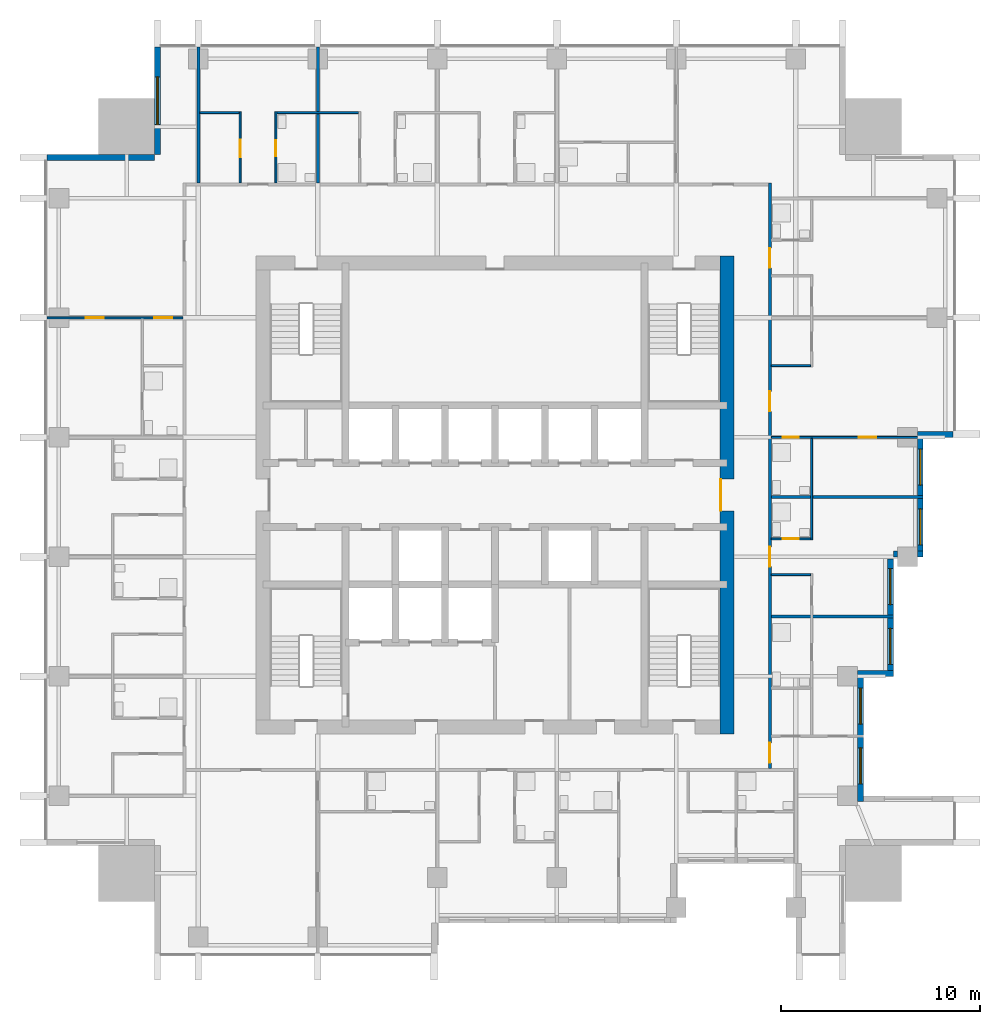
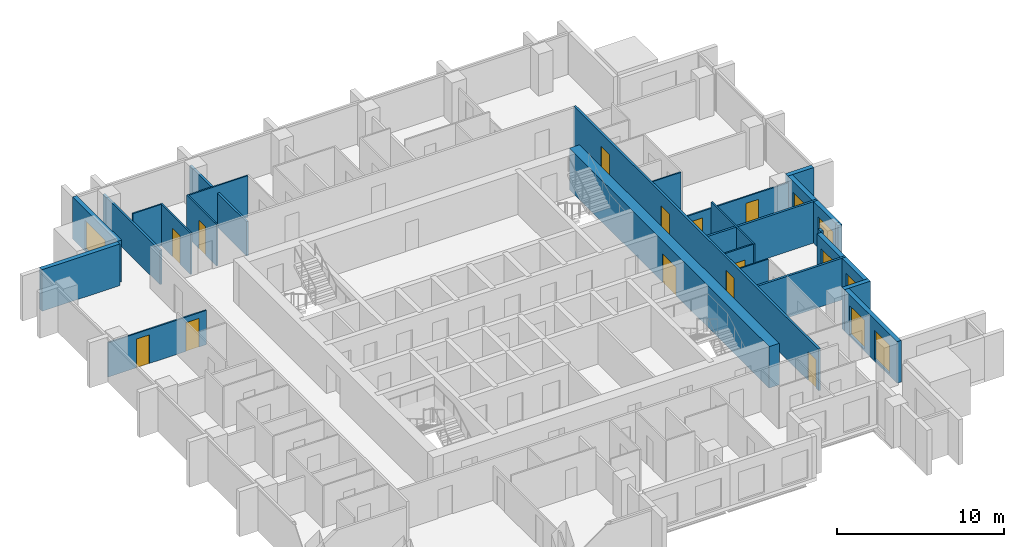
# One storey, part 7 of 11: 25 walls, 12 doors, 7 windows, 19 openings.
"""IFC4 building model written with IfcOpenShell, lengths in metres."""

from ifc_helpers import new_model, si_unit, direction, frame, frame_2d, origin, place, context, subcontext, project, spatial, rectangle, extrude, material, layer, layer_set, type_object, element, fill, save


model = new_model("IFC4")

# Units and contexts
model_context = context("Model", 3, precision=1e-05, world=origin(), true_north=direction((0.0, 1.0)))
body_context = subcontext(model_context, "Body", "Model", "MODEL_VIEW")
ifc_project = project(units=[si_unit("LENGTHUNIT", "METRE"), si_unit("AREAUNIT", "SQUARE_METRE"), si_unit("VOLUMEUNIT", "CUBIC_METRE"), si_unit("PLANEANGLEUNIT", "RADIAN"), si_unit("MASSUNIT", "GRAM", prefix="KILO")], contexts=[model_context])

# Site, building, storey
site_placement = place(None, origin())
site = spatial("IfcSite", under=ifc_project, at=site_placement, CompositionType="ELEMENT")
building_placement = place(site_placement, origin())
building = spatial("IfcBuilding", under=site, at=building_placement, Name="Amberfall Residences", CompositionType="ELEMENT")
storey_placement = place(building_placement, frame((0.0, 0.0, 161.5)))
storey = spatial("IfcBuildingStorey", under=building, at=storey_placement, Name="L43", CompositionType="ELEMENT", Elevation=161.5)

# Walls
ifc_material_1 = material(Name="Pale stone cladding on insulated backing", Category="masonry")
ifc_layer_1 = layer(ifc_material_1, 0.300048828125)
ifc_layer_set_1 = layer_set([ifc_layer_1], Name="Bronze clad wall 300")
wall_type_1 = type_object("IfcWallType", Name="Bronze clad wall 300", PredefinedType="SOLIDWALL", material=ifc_layer_set_1)
wall_1_placement = place(storey_placement, frame((92.699951171875, 36.550048828125, 0.0), z_axis=(0.0, 0.0, 1.0), x_axis=(1.0, 0.0, 0.0)))
element("IfcWall", 1, at=wall_1_placement, inside=storey, type_object=wall_type_1, Name="External wall L43 E", PredefinedType="SOLIDWALL", context=body_context, shape_type="SweptSolid", body=[
    extrude(rectangle(XDim=1.800048828125, YDim=0.300048828125, at=frame_2d((0.89990234375, 0.0))), origin(), (0.0, 0.0, 1.0), 3.050048828125),
])
wall_2_placement = place(storey_placement, frame((94.5, 42.550048828125, 0.0), z_axis=(0.0, 0.0, 1.0), x_axis=(1.0, 0.0, 0.0)))
element("IfcWall", 2, at=wall_2_placement, inside=storey, type_object=wall_type_1, Name="External wall L43 E", PredefinedType="SOLIDWALL", context=body_context, shape_type="SweptSolid", body=[
    extrude(rectangle(XDim=0.199951171875, YDim=0.300048828125, at=frame_2d((0.10009765625, 0.0))), origin(), (0.0, 0.0, 1.0), 3.050048828125),
])
wall_3_placement = place(storey_placement, frame((95.699951171875, 42.550048828125, 0.0), z_axis=(0.0, 0.0, 1.0), x_axis=(1.0, 0.0, 0.0)))
element("IfcWall", 3, at=wall_3_placement, inside=storey, type_object=wall_type_1, Name="External wall L43 E", PredefinedType="SOLIDWALL", context=body_context, shape_type="SweptSolid", body=[
    extrude(rectangle(XDim=0.300048828125, YDim=0.300048828125, at=frame_2d((0.14990234375, 0.0))), origin(), (0.0, 0.0, 1.0), 3.050048828125),
])
wall_4_placement = place(storey_placement, frame((95.699951171875, 48.550048828125, 0.0), z_axis=(0.0, 0.0, 1.0), x_axis=(1.0, 0.0, 0.0)))
element("IfcWall", 4, at=wall_4_placement, inside=storey, type_object=wall_type_1, Name="External wall L43 E", PredefinedType="SOLIDWALL", context=body_context, shape_type="SweptSolid", body=[
    extrude(rectangle(XDim=1.800048828125, YDim=0.300048828125, at=frame_2d((0.89990234375, 0.0))), origin(), (0.0, 0.0, 1.0), 3.050048828125),
])

# Wall, opening, window
wall_5_placement = place(storey_placement, frame((57.550048828125, 68.0, 0.0), z_axis=(0.0, 0.0, 1.0), x_axis=(0.0, -1.0, 0.0)))
wall_5 = element("IfcWall", 5, at=wall_5_placement, inside=storey, type_object=wall_type_1, Name="External wall L43 NW", PredefinedType="SOLIDWALL", context=body_context, shape_type="SweptSolid", body=[
    extrude(rectangle(XDim=5.39990234375, YDim=0.300048828125, at=frame_2d((2.699951171875, 0.0))), origin(), (0.0, 0.0, 1.0), 3.050048828125),
])
opening_1_placement = place(wall_5_placement, frame((1.5, 0.0, 0.14990234375)))
opening_1 = element("IfcOpeningElement", 6, at=opening_1_placement, cuts=wall_5, Name="Opening WN5", PredefinedType="OPENING", context=body_context, shape_type="SweptSolid", body=[
    extrude(rectangle(XDim=2.39990234375, YDim=2.10009765625, at=frame_2d((1.199951171875, 1.050048828125))), frame((0.0, 0.159912109375, 0.0), z_axis=(0.0, -1.0, 0.0), x_axis=(1.0, 0.0, 0.0)), (0.0, 0.0, 1.0), 0.320068359375),
])
ifc_material_2 = material(Name="Bronze aluminium framed glazing", Category="aluminium")
window_type_1 = type_object("IfcWindowType", Name="Glazed opening 2400 x 2100 bronze", PartitioningType="DOUBLE_PANEL_VERTICAL", PredefinedType="WINDOW", material=ifc_material_2)
window_1_placement = place(opening_1_placement, origin())
window_1 = element("IfcWindow", 7, at=window_1_placement, inside=storey, type_object=window_type_1, Name="Window L43 NW", OverallHeight=2.10009765625, OverallWidth=2.39990234375, PartitioningType="DOUBLE_PANEL_VERTICAL", PredefinedType="WINDOW", context=body_context, shape_type="SweptSolid", body=[
    extrude(rectangle(XDim=2.39990234375, YDim=2.10009765625, at=frame_2d((1.199951171875, 1.050048828125))), frame((0.0, 0.030029296875, 0.0), z_axis=(0.0, -1.0, 0.0), x_axis=(1.0, 0.0, 0.0)), (0.0, 0.0, 1.0), 0.06005859375),
])
fill(opening_1, window_1)

# Wall
wall_6_placement = place(storey_placement, frame((57.39990234375, 62.449951171875, 0.0), z_axis=(0.0, 0.0, 1.0), x_axis=(-1.0, 0.0, 0.0)))
element("IfcWall", 8, at=wall_6_placement, inside=storey, type_object=wall_type_1, Name="External wall L43 NW", PredefinedType="SOLIDWALL", context=body_context, shape_type="SweptSolid", body=[
    extrude(rectangle(XDim=5.39990234375, YDim=0.300048828125, at=frame_2d((2.699951171875, 0.0))), origin(), (0.0, 0.0, 1.0), 3.050048828125),
])

# Wall, openings, windows
wall_7_placement = place(storey_placement, frame((92.85009765625, 30.10009765625, 0.0), z_axis=(0.0, 0.0, 1.0), x_axis=(0.0, 1.0, 0.0)))
wall_7 = element("IfcWall", 9, at=wall_7_placement, inside=storey, type_object=wall_type_1, Name="Stone wall L43 E", PredefinedType="SOLIDWALL", context=body_context, shape_type="SweptSolid", body=[
    extrude(rectangle(XDim=6.2998046875, YDim=0.300048828125, at=frame_2d((3.14990234375, 0.0))), origin(), (0.0, 0.0, 1.0), 3.050048828125),
])
opening_2_placement = place(wall_7_placement, frame((0.89990234375, 0.0, 0.14990234375)))
opening_2 = element("IfcOpeningElement", 10, at=opening_2_placement, cuts=wall_7, Name="Opening WN6", PredefinedType="OPENING", context=body_context, shape_type="SweptSolid", body=[
    extrude(rectangle(XDim=1.800048828125, YDim=2.10009765625, at=frame_2d((0.89990234375, 1.050048828125))), frame((0.0, 0.159912109375, 0.0), z_axis=(0.0, -1.0, 0.0), x_axis=(1.0, 0.0, 0.0)), (0.0, 0.0, 1.0), 0.320068359375),
])
opening_3_placement = place(wall_7_placement, frame((3.89990234375, 0.0, 0.14990234375)))
opening_3 = element("IfcOpeningElement", 11, at=opening_3_placement, cuts=wall_7, Name="Opening WN6", PredefinedType="OPENING", context=body_context, shape_type="SweptSolid", body=[
    extrude(rectangle(XDim=1.800048828125, YDim=2.10009765625, at=frame_2d((0.89990234375, 1.050048828125))), frame((0.0, 0.159912109375, 0.0), z_axis=(0.0, -1.0, 0.0), x_axis=(1.0, 0.0, 0.0)), (0.0, 0.0, 1.0), 0.320068359375),
])
window_type_2 = type_object("IfcWindowType", Name="Glazed opening 1800 x 2100 bronze", PartitioningType="DOUBLE_PANEL_VERTICAL", PredefinedType="WINDOW", material=ifc_material_2)
window_2_placement = place(opening_2_placement, origin())
window_2 = element("IfcWindow", 12, at=window_2_placement, inside=storey, type_object=window_type_2, Name="Window L43 E", OverallHeight=2.10009765625, OverallWidth=1.800048828125, PartitioningType="DOUBLE_PANEL_VERTICAL", PredefinedType="WINDOW", context=body_context, shape_type="SweptSolid", body=[
    extrude(rectangle(XDim=1.800048828125, YDim=2.10009765625, at=frame_2d((0.89990234375, 1.050048828125))), frame((0.0, 0.030029296875, 0.0), z_axis=(0.0, -1.0, 0.0), x_axis=(1.0, 0.0, 0.0)), (0.0, 0.0, 1.0), 0.06005859375),
])
fill(opening_2, window_2)
window_3_placement = place(opening_3_placement, origin())
window_3 = element("IfcWindow", 13, at=window_3_placement, inside=storey, type_object=window_type_2, Name="Window L43 E", OverallHeight=2.10009765625, OverallWidth=1.800048828125, PartitioningType="DOUBLE_PANEL_VERTICAL", PredefinedType="WINDOW", context=body_context, shape_type="SweptSolid", body=[
    extrude(rectangle(XDim=1.800048828125, YDim=2.10009765625, at=frame_2d((0.89990234375, 1.050048828125))), frame((0.0, 0.030029296875, 0.0), z_axis=(0.0, -1.0, 0.0), x_axis=(1.0, 0.0, 0.0)), (0.0, 0.0, 1.0), 0.06005859375),
])
fill(opening_3, window_3)

wall_8_placement = place(storey_placement, frame((94.35009765625, 36.699951171875, 0.0), z_axis=(0.0, 0.0, 1.0), x_axis=(0.0, 1.0, 0.0)))
wall_8 = element("IfcWall", 14, at=wall_8_placement, inside=storey, type_object=wall_type_1, Name="Stone wall L43 E", PredefinedType="SOLIDWALL", context=body_context, shape_type="SweptSolid", body=[
    extrude(rectangle(XDim=5.60009765625, YDim=0.300048828125, at=frame_2d((2.800048828125, 0.0))), origin(), (0.0, 0.0, 1.0), 3.050048828125),
])
opening_4_placement = place(wall_8_placement, frame((0.300048828125, 0.0, 0.14990234375)))
opening_4 = element("IfcOpeningElement", 15, at=opening_4_placement, cuts=wall_8, Name="Opening WN6", PredefinedType="OPENING", context=body_context, shape_type="SweptSolid", body=[
    extrude(rectangle(XDim=1.800048828125, YDim=2.10009765625, at=frame_2d((0.89990234375, 1.050048828125))), frame((0.0, 0.159912109375, 0.0), z_axis=(0.0, -1.0, 0.0), x_axis=(1.0, 0.0, 0.0)), (0.0, 0.0, 1.0), 0.320068359375),
])
opening_5_placement = place(wall_8_placement, frame((3.300048828125, 0.0, 0.14990234375)))
opening_5 = element("IfcOpeningElement", 16, at=opening_5_placement, cuts=wall_8, Name="Opening WN6", PredefinedType="OPENING", context=body_context, shape_type="SweptSolid", body=[
    extrude(rectangle(XDim=1.800048828125, YDim=2.10009765625, at=frame_2d((0.89990234375, 1.050048828125))), frame((0.0, 0.159912109375, 0.0), z_axis=(0.0, -1.0, 0.0), x_axis=(1.0, 0.0, 0.0)), (0.0, 0.0, 1.0), 0.320068359375),
])
window_4_placement = place(opening_4_placement, origin())
window_4 = element("IfcWindow", 17, at=window_4_placement, inside=storey, type_object=window_type_2, Name="Window L43 E", OverallHeight=2.10009765625, OverallWidth=1.800048828125, PartitioningType="DOUBLE_PANEL_VERTICAL", PredefinedType="WINDOW", context=body_context, shape_type="SweptSolid", body=[
    extrude(rectangle(XDim=1.800048828125, YDim=2.10009765625, at=frame_2d((0.89990234375, 1.050048828125))), frame((0.0, 0.030029296875, 0.0), z_axis=(0.0, -1.0, 0.0), x_axis=(1.0, 0.0, 0.0)), (0.0, 0.0, 1.0), 0.06005859375),
])
fill(opening_4, window_4)
window_5_placement = place(opening_5_placement, origin())
window_5 = element("IfcWindow", 18, at=window_5_placement, inside=storey, type_object=window_type_2, Name="Window L43 E", OverallHeight=2.10009765625, OverallWidth=1.800048828125, PartitioningType="DOUBLE_PANEL_VERTICAL", PredefinedType="WINDOW", context=body_context, shape_type="SweptSolid", body=[
    extrude(rectangle(XDim=1.800048828125, YDim=2.10009765625, at=frame_2d((0.89990234375, 1.050048828125))), frame((0.0, 0.030029296875, 0.0), z_axis=(0.0, -1.0, 0.0), x_axis=(1.0, 0.0, 0.0)), (0.0, 0.0, 1.0), 0.06005859375),
])
fill(opening_5, window_5)

wall_9_placement = place(storey_placement, frame((95.85009765625, 42.699951171875, 0.0), z_axis=(0.0, 0.0, 1.0), x_axis=(0.0, 1.0, 0.0)))
wall_9 = element("IfcWall", 19, at=wall_9_placement, inside=storey, type_object=wall_type_1, Name="Stone wall L43 E", PredefinedType="SOLIDWALL", context=body_context, shape_type="SweptSolid", body=[
    extrude(rectangle(XDim=5.699951171875, YDim=0.300048828125, at=frame_2d((2.85009765625, 0.0))), origin(), (0.0, 0.0, 1.0), 3.050048828125),
])
opening_6_placement = place(wall_9_placement, frame((0.300048828125, 0.0, 0.14990234375)))
opening_6 = element("IfcOpeningElement", 20, at=opening_6_placement, cuts=wall_9, Name="Opening WN6", PredefinedType="OPENING", context=body_context, shape_type="SweptSolid", body=[
    extrude(rectangle(XDim=1.800048828125, YDim=2.10009765625, at=frame_2d((0.89990234375, 1.050048828125))), frame((0.0, 0.159912109375, 0.0), z_axis=(0.0, -1.0, 0.0), x_axis=(1.0, 0.0, 0.0)), (0.0, 0.0, 1.0), 0.320068359375),
])
opening_7_placement = place(wall_9_placement, frame((3.300048828125, 0.0, 0.14990234375)))
opening_7 = element("IfcOpeningElement", 21, at=opening_7_placement, cuts=wall_9, Name="Opening WN6", PredefinedType="OPENING", context=body_context, shape_type="SweptSolid", body=[
    extrude(rectangle(XDim=1.800048828125, YDim=2.10009765625, at=frame_2d((0.89990234375, 1.050048828125))), frame((0.0, 0.159912109375, 0.0), z_axis=(0.0, -1.0, 0.0), x_axis=(1.0, 0.0, 0.0)), (0.0, 0.0, 1.0), 0.320068359375),
])
window_6_placement = place(opening_6_placement, origin())
window_6 = element("IfcWindow", 22, at=window_6_placement, inside=storey, type_object=window_type_2, Name="Window L43 E", OverallHeight=2.10009765625, OverallWidth=1.800048828125, PartitioningType="DOUBLE_PANEL_VERTICAL", PredefinedType="WINDOW", context=body_context, shape_type="SweptSolid", body=[
    extrude(rectangle(XDim=1.800048828125, YDim=2.10009765625, at=frame_2d((0.89990234375, 1.050048828125))), frame((0.0, 0.030029296875, 0.0), z_axis=(0.0, -1.0, 0.0), x_axis=(1.0, 0.0, 0.0)), (0.0, 0.0, 1.0), 0.06005859375),
])
fill(opening_6, window_6)
window_7_placement = place(opening_7_placement, origin())
window_7 = element("IfcWindow", 23, at=window_7_placement, inside=storey, type_object=window_type_2, Name="Window L43 E", OverallHeight=2.10009765625, OverallWidth=1.800048828125, PartitioningType="DOUBLE_PANEL_VERTICAL", PredefinedType="WINDOW", context=body_context, shape_type="SweptSolid", body=[
    extrude(rectangle(XDim=1.800048828125, YDim=2.10009765625, at=frame_2d((0.89990234375, 1.050048828125))), frame((0.0, 0.030029296875, 0.0), z_axis=(0.0, -1.0, 0.0), x_axis=(1.0, 0.0, 0.0)), (0.0, 0.0, 1.0), 0.06005859375),
])
fill(opening_7, window_7)

# Wall, opening, door
ifc_material_3 = material(Name="Concrete C60", Category="concrete")
ifc_layer_2 = layer(ifc_material_3, 0.699951171875)
ifc_layer_set_2 = layer_set([ifc_layer_2], Name="Core wall 700 C60")
wall_type_2 = type_object("IfcWallType", Name="Core wall 700 C60", PredefinedType="SHEAR", material=ifc_layer_set_2)
wall_10_placement = place(storey_placement, frame((86.14990234375, 33.5, 0.0), z_axis=(0.0, 0.0, 1.0), x_axis=(0.0, 1.0, 0.0)))
wall_10 = element("IfcWall", 24, at=wall_10_placement, inside=storey, type_object=wall_type_2, Name="Core wall RW5 L43 OE", PredefinedType="SHEAR", context=body_context, shape_type="SweptSolid", body=[
    extrude(rectangle(XDim=24.0, YDim=0.699951171875, at=frame_2d((12.0, 0.0))), origin(), (0.0, 0.0, 1.0), 3.050048828125),
])
opening_8_placement = place(wall_10_placement, frame((11.199951171875, 0.0, 0.0)))
opening_8 = element("IfcOpeningElement", 25, at=opening_8_placement, cuts=wall_10, Name="Opening LB1", PredefinedType="OPENING", context=body_context, shape_type="SweptSolid", body=[
    extrude(rectangle(XDim=1.60009765625, YDim=2.10009765625, at=frame_2d((0.800048828125, 1.050048828125))), frame((0.0, 0.35986328125, 0.0), z_axis=(0.0, -1.0, 0.0), x_axis=(1.0, 0.0, 0.0)), (0.0, 0.0, 1.0), 0.719970703125),
])
ifc_material_4 = material(Name="Steel fire door set", Category="steel")
door_type_1 = type_object("IfcDoorType", Name="Lift lobby double door 1600 x 2100", OperationType="DOUBLE_DOOR_SINGLE_SWING", PredefinedType="DOOR", material=ifc_material_4)
door_1_placement = place(opening_8_placement, origin())
door_1 = element("IfcDoor", 26, at=door_1_placement, inside=storey, type_object=door_type_1, Name="LB1 L43", OperationType="DOUBLE_DOOR_SINGLE_SWING", OverallHeight=2.10009765625, OverallWidth=1.60009765625, PredefinedType="DOOR", context=body_context, shape_type="SweptSolid", body=[
    extrude(rectangle(XDim=1.60009765625, YDim=2.10009765625, at=frame_2d((0.800048828125, 1.050048828125))), frame((0.0, 0.33740234375, 0.0), z_axis=(0.0, -1.0, 0.0), x_axis=(1.0, 0.0, 0.0)), (0.0, 0.0, 1.0), 0.050048828125),
])
fill(opening_8, door_1)

ifc_material_5 = material(Name="Gypsum board on metal stud")
ifc_layer_3 = layer(ifc_material_5, 0.10009765625)
ifc_layer_set_3 = layer_set([ifc_layer_3], Name="Flat partition 100")
wall_type_3 = type_object("IfcWallType", Name="Flat partition 100", PredefinedType="PARTITIONING", material=ifc_layer_set_3)
wall_11_placement = place(storey_placement, frame((61.699951171875, 61.175048828125, 0.0), z_axis=(0.0, 0.0, 1.0), x_axis=(0.0, 1.0, 0.0)))
wall_11 = element("IfcWall", 27, at=wall_11_placement, inside=storey, type_object=wall_type_3, Name="Partition 006", PredefinedType="PARTITIONING", context=body_context, shape_type="SweptSolid", body=[
    extrude(rectangle(XDim=3.574951171875, YDim=0.10009765625, at=frame_2d((1.78759765625, 0.0))), origin(), (0.0, 0.0, 1.0), 3.050048828125),
])
opening_9_placement = place(wall_11_placement, frame((1.27490234375, 0.0, 0.0)))
opening_9 = element("IfcOpeningElement", 28, at=opening_9_placement, cuts=wall_11, Name="Opening D41", PredefinedType="OPENING", context=body_context, shape_type="SweptSolid", body=[
    extrude(rectangle(XDim=0.89990234375, YDim=2.10009765625, at=frame_2d((0.449951171875, 1.050048828125))), frame((0.0, 0.06005859375, 0.0), z_axis=(0.0, -1.0, 0.0), x_axis=(1.0, 0.0, 0.0)), (0.0, 0.0, 1.0), 0.1201171875),
])
ifc_material_6 = material(Name="Timber", Category="wood")
door_type_2 = type_object("IfcDoorType", Name="Internal door 900 x 2100", OperationType="SINGLE_SWING_LEFT", PredefinedType="DOOR", material=ifc_material_6)
door_2_placement = place(opening_9_placement, origin())
door_2 = element("IfcDoor", 29, at=door_2_placement, inside=storey, type_object=door_type_2, Name="Door 4308 kitchen", OperationType="SINGLE_SWING_LEFT", OverallHeight=2.10009765625, OverallWidth=0.89990234375, PredefinedType="DOOR", context=body_context, shape_type="SweptSolid", body=[
    extrude(rectangle(XDim=0.89990234375, YDim=2.10009765625, at=frame_2d((0.449951171875, 1.050048828125))), frame((0.0, 0.02490234375, 0.0), z_axis=(0.0, -1.0, 0.0), x_axis=(1.0, 0.0, 0.0)), (0.0, 0.0, 1.0), 0.050048828125),
])
fill(opening_9, door_2)

wall_12_placement = place(storey_placement, frame((63.5, 64.75, 0.0), z_axis=(0.0, 0.0, 1.0), x_axis=(0.0, -1.0, 0.0)))
wall_12 = element("IfcWall", 30, at=wall_12_placement, inside=storey, type_object=wall_type_3, Name="Partition 007", PredefinedType="PARTITIONING", context=body_context, shape_type="SweptSolid", body=[
    extrude(rectangle(XDim=3.574951171875, YDim=0.10009765625, at=frame_2d((1.78759765625, 0.0))), origin(), (0.0, 0.0, 1.0), 3.050048828125),
])
opening_10_placement = place(wall_12_placement, frame((1.449951171875, 0.0, 0.0)))
opening_10 = element("IfcOpeningElement", 31, at=opening_10_placement, cuts=wall_12, Name="Opening D42", PredefinedType="OPENING", context=body_context, shape_type="SweptSolid", body=[
    extrude(rectangle(XDim=0.800048828125, YDim=2.10009765625, at=frame_2d((0.39990234375, 1.050048828125))), frame((0.0, 0.06005859375, 0.0), z_axis=(0.0, -1.0, 0.0), x_axis=(1.0, 0.0, 0.0)), (0.0, 0.0, 1.0), 0.1201171875),
])
door_type_3 = type_object("IfcDoorType", Name="Bathroom door 800 x 2100", OperationType="SINGLE_SWING_LEFT", PredefinedType="DOOR", material=ifc_material_6)
door_3_placement = place(opening_10_placement, origin())
door_3 = element("IfcDoor", 32, at=door_3_placement, inside=storey, type_object=door_type_3, Name="Door 4308 bath1", OperationType="SINGLE_SWING_LEFT", OverallHeight=2.10009765625, OverallWidth=0.800048828125, PredefinedType="DOOR", context=body_context, shape_type="SweptSolid", body=[
    extrude(rectangle(XDim=0.800048828125, YDim=2.10009765625, at=frame_2d((0.39990234375, 1.050048828125))), frame((0.0, 0.02490234375, 0.0), z_axis=(0.0, -1.0, 0.0), x_axis=(1.0, 0.0, 0.0)), (0.0, 0.0, 1.0), 0.050048828125),
])
fill(opening_10, door_3)

# Walls
wall_13_placement = place(storey_placement, frame((90.39990234375, 43.25, 0.0), z_axis=(0.0, 0.0, 1.0), x_axis=(0.0, 1.0, 0.0)))
element("IfcWall", 33, at=wall_13_placement, inside=storey, type_object=wall_type_3, Name="Partition 022", PredefinedType="PARTITIONING", context=body_context, shape_type="SweptSolid", body=[
    extrude(rectangle(XDim=5.10009765625, YDim=0.10009765625, at=frame_2d((2.550048828125, 0.0))), origin(), (0.0, 0.0, 1.0), 3.050048828125),
])
wall_14_placement = place(storey_placement, frame((59.675048828125, 64.699951171875, 0.0), z_axis=(0.0, 0.0, 1.0), x_axis=(1.0, 0.0, 0.0)))
element("IfcWall", 34, at=wall_14_placement, inside=storey, type_object=wall_type_3, Name="Partition 025", PredefinedType="PARTITIONING", context=body_context, shape_type="SweptSolid", body=[
    extrude(rectangle(XDim=1.974853515625, YDim=0.10009765625, at=frame_2d((0.9873046875, 0.0))), origin(), (0.0, 0.0, 1.0), 3.050048828125),
])
wall_15_placement = place(storey_placement, frame((63.550048828125, 64.699951171875, 0.0), z_axis=(0.0, 0.0, 1.0), x_axis=(1.0, 0.0, 0.0)))
element("IfcWall", 35, at=wall_15_placement, inside=storey, type_object=wall_type_3, Name="Partition 026", PredefinedType="PARTITIONING", context=body_context, shape_type="SweptSolid", body=[
    extrude(rectangle(XDim=4.099853515625, YDim=0.10009765625, at=frame_2d((2.0498046875, 0.0))), origin(), (0.0, 0.0, 1.0), 3.050048828125),
])

# Wall, openings, doors
wall_16_placement = place(storey_placement, frame((58.824951171875, 54.39990234375, 0.0), z_axis=(0.0, 0.0, 1.0), x_axis=(-1.0, 0.0, 0.0)))
wall_16 = element("IfcWall", 36, at=wall_16_placement, inside=storey, type_object=wall_type_3, Name="Partition 032", PredefinedType="PARTITIONING", context=body_context, shape_type="SweptSolid", body=[
    extrude(rectangle(XDim=6.824951171875, YDim=0.10009765625, at=frame_2d((3.41259765625, 0.0))), origin(), (0.0, 0.0, 1.0), 2.51611328125),
])
opening_11_placement = place(wall_16_placement, frame((0.52490234375, 0.0, 0.0)))
opening_11 = element("IfcOpeningElement", 37, at=opening_11_placement, cuts=wall_16, Name="Opening D41", PredefinedType="OPENING", context=body_context, shape_type="SweptSolid", body=[
    extrude(rectangle(XDim=0.89990234375, YDim=2.10009765625, at=frame_2d((0.449951171875, 1.050048828125))), frame((0.0, 0.06005859375, 0.0), z_axis=(0.0, -1.0, 0.0), x_axis=(1.0, 0.0, 0.0)), (0.0, 0.0, 1.0), 0.1201171875),
])
opening_12_placement = place(wall_16_placement, frame((3.97509765625, 0.0, 0.0)))
opening_12 = element("IfcOpeningElement", 38, at=opening_12_placement, cuts=wall_16, Name="Opening D41", PredefinedType="OPENING", context=body_context, shape_type="SweptSolid", body=[
    extrude(rectangle(XDim=0.89990234375, YDim=2.10009765625, at=frame_2d((0.449951171875, 1.050048828125))), frame((0.0, 0.06005859375, 0.0), z_axis=(0.0, -1.0, 0.0), x_axis=(1.0, 0.0, 0.0)), (0.0, 0.0, 1.0), 0.1201171875),
])
door_4_placement = place(opening_11_placement, origin())
door_4 = element("IfcDoor", 39, at=door_4_placement, inside=storey, type_object=door_type_2, Name="Door 4315 kitchen", OperationType="SINGLE_SWING_LEFT", OverallHeight=2.10009765625, OverallWidth=0.89990234375, PredefinedType="DOOR", context=body_context, shape_type="SweptSolid", body=[
    extrude(rectangle(XDim=0.89990234375, YDim=2.10009765625, at=frame_2d((0.449951171875, 1.050048828125))), frame((0.0, 0.02490234375, 0.0), z_axis=(0.0, -1.0, 0.0), x_axis=(1.0, 0.0, 0.0)), (0.0, 0.0, 1.0), 0.050048828125),
])
fill(opening_11, door_4)
door_5_placement = place(opening_12_placement, origin())
door_5 = element("IfcDoor", 40, at=door_5_placement, inside=storey, type_object=door_type_2, Name="Door 4315 bedroom1", OperationType="SINGLE_SWING_LEFT", OverallHeight=2.10009765625, OverallWidth=0.89990234375, PredefinedType="DOOR", context=body_context, shape_type="SweptSolid", body=[
    extrude(rectangle(XDim=0.89990234375, YDim=2.10009765625, at=frame_2d((0.449951171875, 1.050048828125))), frame((0.0, 0.02490234375, 0.0), z_axis=(0.0, -1.0, 0.0), x_axis=(1.0, 0.0, 0.0)), (0.0, 0.0, 1.0), 0.050048828125),
])
fill(opening_12, door_5)

# Wall
wall_17_placement = place(storey_placement, frame((88.375, 52.0, 0.0), z_axis=(0.0, 0.0, 1.0), x_axis=(1.0, 0.0, 0.0)))
element("IfcWall", 41, at=wall_17_placement, inside=storey, type_object=wall_type_3, Name="Partition 034", PredefinedType="PARTITIONING", context=body_context, shape_type="SweptSolid", body=[
    extrude(rectangle(XDim=1.97509765625, YDim=0.10009765625, at=frame_2d((0.987548828125, 0.0))), origin(), (0.0, 0.0, 1.0), 3.050048828125),
])

# Wall, openings, doors
wall_18_placement = place(storey_placement, frame((96.0, 48.39990234375, 0.0), z_axis=(0.0, 0.0, 1.0), x_axis=(-1.0, 0.0, 0.0)))
wall_18 = element("IfcWall", 42, at=wall_18_placement, inside=storey, type_object=wall_type_3, Name="Partition 035", PredefinedType="PARTITIONING", context=body_context, shape_type="SweptSolid", body=[
    extrude(rectangle(XDim=7.625, YDim=0.10009765625, at=frame_2d((3.8125, 0.0))), origin(), (0.0, 0.0, 1.0), 2.590087890625),
])
opening_13_placement = place(wall_18_placement, frame((2.35009765625, 0.0, 0.0)))
opening_13 = element("IfcOpeningElement", 43, at=opening_13_placement, cuts=wall_18, Name="Opening D41", PredefinedType="OPENING", context=body_context, shape_type="SweptSolid", body=[
    extrude(rectangle(XDim=0.89990234375, YDim=2.10009765625, at=frame_2d((0.449951171875, 1.050048828125))), frame((0.0, 0.06005859375, 0.0), z_axis=(0.0, -1.0, 0.0), x_axis=(1.0, 0.0, 0.0)), (0.0, 0.0, 1.0), 0.1201171875),
])
opening_14_placement = place(wall_18_placement, frame((6.25, 0.0, 0.0)))
opening_14 = element("IfcOpeningElement", 44, at=opening_14_placement, cuts=wall_18, Name="Opening D42", PredefinedType="OPENING", context=body_context, shape_type="SweptSolid", body=[
    extrude(rectangle(XDim=0.800048828125, YDim=2.10009765625, at=frame_2d((0.39990234375, 1.050048828125))), frame((0.0, 0.06005859375, 0.0), z_axis=(0.0, -1.0, 0.0), x_axis=(1.0, 0.0, 0.0)), (0.0, 0.0, 1.0), 0.1201171875),
])
door_6_placement = place(opening_14_placement, origin())
door_6 = element("IfcDoor", 45, at=door_6_placement, inside=storey, type_object=door_type_3, Name="Door 4306 bath1", OperationType="SINGLE_SWING_LEFT", OverallHeight=2.10009765625, OverallWidth=0.800048828125, PredefinedType="DOOR", context=body_context, shape_type="SweptSolid", body=[
    extrude(rectangle(XDim=0.800048828125, YDim=2.10009765625, at=frame_2d((0.39990234375, 1.050048828125))), frame((0.0, 0.02490234375, 0.0), z_axis=(0.0, -1.0, 0.0), x_axis=(1.0, 0.0, 0.0)), (0.0, 0.0, 1.0), 0.050048828125),
])
fill(opening_14, door_6)
door_7_placement = place(opening_13_placement, origin())
door_7 = element("IfcDoor", 46, at=door_7_placement, inside=storey, type_object=door_type_2, Name="Door 4306 bedroom1", OperationType="SINGLE_SWING_LEFT", OverallHeight=2.10009765625, OverallWidth=0.89990234375, PredefinedType="DOOR", context=body_context, shape_type="SweptSolid", body=[
    extrude(rectangle(XDim=0.89990234375, YDim=2.10009765625, at=frame_2d((0.449951171875, 1.050048828125))), frame((0.0, 0.02490234375, 0.0), z_axis=(0.0, -1.0, 0.0), x_axis=(1.0, 0.0, 0.0)), (0.0, 0.0, 1.0), 0.050048828125),
])
fill(opening_13, door_7)

# Wall, opening, door
wall_19_placement = place(storey_placement, frame((88.375, 43.300048828125, 0.0), z_axis=(0.0, 0.0, 1.0), x_axis=(1.0, 0.0, 0.0)))
wall_19 = element("IfcWall", 47, at=wall_19_placement, inside=storey, type_object=wall_type_3, Name="Partition 038", PredefinedType="PARTITIONING", context=body_context, shape_type="SweptSolid", body=[
    extrude(rectangle(XDim=1.97509765625, YDim=0.10009765625, at=frame_2d((0.987548828125, 0.0))), origin(), (0.0, 0.0, 1.0), 3.050048828125),
])
opening_15_placement = place(wall_19_placement, frame((0.574951171875, 0.0, 0.0)))
opening_15 = element("IfcOpeningElement", 48, at=opening_15_placement, cuts=wall_19, Name="Opening D42", PredefinedType="OPENING", context=body_context, shape_type="SweptSolid", body=[
    extrude(rectangle(XDim=0.800048828125, YDim=2.10009765625, at=frame_2d((0.39990234375, 1.050048828125))), frame((0.0, 0.06005859375, 0.0), z_axis=(0.0, -1.0, 0.0), x_axis=(1.0, 0.0, 0.0)), (0.0, 0.0, 1.0), 0.1201171875),
])
door_8_placement = place(opening_15_placement, origin())
door_8 = element("IfcDoor", 49, at=door_8_placement, inside=storey, type_object=door_type_3, Name="Door 4305 bath1", OperationType="SINGLE_SWING_LEFT", OverallHeight=2.10009765625, OverallWidth=0.800048828125, PredefinedType="DOOR", context=body_context, shape_type="SweptSolid", body=[
    extrude(rectangle(XDim=0.800048828125, YDim=2.10009765625, at=frame_2d((0.39990234375, 1.050048828125))), frame((0.0, 0.02490234375, 0.0), z_axis=(0.0, -1.0, 0.0), x_axis=(1.0, 0.0, 0.0)), (0.0, 0.0, 1.0), 0.050048828125),
])
fill(opening_15, door_8)

# Walls
wall_20_placement = place(storey_placement, frame((88.375, 41.5, 0.0), z_axis=(0.0, 0.0, 1.0), x_axis=(1.0, 0.0, 0.0)))
element("IfcWall", 50, at=wall_20_placement, inside=storey, type_object=wall_type_3, Name="Partition 039", PredefinedType="PARTITIONING", context=body_context, shape_type="SweptSolid", body=[
    extrude(rectangle(XDim=1.97509765625, YDim=0.10009765625, at=frame_2d((0.987548828125, 0.0))), origin(), (0.0, 0.0, 1.0), 3.050048828125),
])
ifc_material_7 = material(Name="Blockwork, plastered", Category="masonry")
ifc_layer_4 = layer(ifc_material_7, 0.14990234375)
ifc_layer_set_4 = layer_set([ifc_layer_4], Name="Flat separating wall 150")
wall_type_4 = type_object("IfcWallType", Name="Flat separating wall 150", PredefinedType="PARTITIONING", material=ifc_layer_set_4)
wall_21_placement = place(storey_placement, frame((59.60009765625, 61.175048828125, 0.0), z_axis=(0.0, 0.0, 1.0), x_axis=(0.0, 1.0, 0.0)))
element("IfcWall", 51, at=wall_21_placement, inside=storey, type_object=wall_type_4, Name="Separating wall 052", PredefinedType="PARTITIONING", context=body_context, shape_type="SweptSolid", body=[
    extrude(rectangle(XDim=6.824951171875, YDim=0.14990234375, at=frame_2d((3.41259765625, 0.0))), origin(), (0.0, 0.0, 1.0), 2.510009765625),
])
wall_22_placement = place(storey_placement, frame((65.60009765625, 61.175048828125, 0.0), z_axis=(0.0, 0.0, 1.0), x_axis=(0.0, 1.0, 0.0)))
element("IfcWall", 52, at=wall_22_placement, inside=storey, type_object=wall_type_4, Name="Separating wall 053", PredefinedType="PARTITIONING", context=body_context, shape_type="SweptSolid", body=[
    extrude(rectangle(XDim=6.824951171875, YDim=0.14990234375, at=frame_2d((3.41259765625, 0.0))), origin(), (0.0, 0.0, 1.0), 2.51611328125),
])

# Wall, openings, doors
wall_23_placement = place(storey_placement, frame((88.300048828125, 61.175048828125, 0.0), z_axis=(0.0, 0.0, 1.0), x_axis=(0.0, -1.0, 0.0)))
wall_23 = element("IfcWall", 53, at=wall_23_placement, inside=storey, type_object=wall_type_4, Name="Separating wall 058", PredefinedType="PARTITIONING", context=body_context, shape_type="SweptSolid", body=[
    extrude(rectangle(XDim=29.400146484375, YDim=0.14990234375, at=frame_2d((14.7001953125, 0.0))), origin(), (0.0, 0.0, 1.0), 3.050048828125),
])
opening_16_placement = place(wall_23_placement, frame((28.125, 0.0, 0.0)))
opening_16 = element("IfcOpeningElement", 54, at=opening_16_placement, cuts=wall_23, Name="Opening D40", PredefinedType="OPENING", context=body_context, shape_type="SweptSolid", body=[
    extrude(rectangle(XDim=1.0, YDim=2.10009765625, at=frame_2d((0.5, 1.050048828125))), frame((0.0, 0.0849609375, 0.0), z_axis=(0.0, -1.0, 0.0), x_axis=(1.0, 0.0, 0.0)), (0.0, 0.0, 1.0), 0.169921875),
])
opening_17_placement = place(wall_23_placement, frame((18.27490234375, 0.0, 0.0)))
opening_17 = element("IfcOpeningElement", 55, at=opening_17_placement, cuts=wall_23, Name="Opening D40", PredefinedType="OPENING", context=body_context, shape_type="SweptSolid", body=[
    extrude(rectangle(XDim=1.0, YDim=2.10009765625, at=frame_2d((0.5, 1.050048828125))), frame((0.0, 0.0849609375, 0.0), z_axis=(0.0, -1.0, 0.0), x_axis=(1.0, 0.0, 0.0)), (0.0, 0.0, 1.0), 0.169921875),
])
opening_18_placement = place(wall_23_placement, frame((10.47509765625, 0.0, 0.0)))
opening_18 = element("IfcOpeningElement", 56, at=opening_18_placement, cuts=wall_23, Name="Opening D40", PredefinedType="OPENING", context=body_context, shape_type="SweptSolid", body=[
    extrude(rectangle(XDim=1.0, YDim=2.10009765625, at=frame_2d((0.5, 1.050048828125))), frame((0.0, 0.0849609375, 0.0), z_axis=(0.0, -1.0, 0.0), x_axis=(1.0, 0.0, 0.0)), (0.0, 0.0, 1.0), 0.169921875),
])
opening_19_placement = place(wall_23_placement, frame((3.27490234375, 0.0, 0.0)))
opening_19 = element("IfcOpeningElement", 57, at=opening_19_placement, cuts=wall_23, Name="Opening D40", PredefinedType="OPENING", context=body_context, shape_type="SweptSolid", body=[
    extrude(rectangle(XDim=1.0, YDim=2.10009765625, at=frame_2d((0.5, 1.050048828125))), frame((0.0, 0.0849609375, 0.0), z_axis=(0.0, -1.0, 0.0), x_axis=(1.0, 0.0, 0.0)), (0.0, 0.0, 1.0), 0.169921875),
])
ifc_material_8 = material(Name="Timber, fire-rated", Category="wood")
door_type_4 = type_object("IfcDoorType", Name="Flat entrance door FD60 1000 x 2100", OperationType="SINGLE_SWING_LEFT", PredefinedType="DOOR", material=ifc_material_8)
door_9_placement = place(opening_16_placement, origin())
door_9 = element("IfcDoor", 58, at=door_9_placement, inside=storey, type_object=door_type_4, Name="Door 4304 entrance", OperationType="SINGLE_SWING_LEFT", OverallHeight=2.10009765625, OverallWidth=1.0, PredefinedType="DOOR", context=body_context, shape_type="SweptSolid", body=[
    extrude(rectangle(XDim=1.0, YDim=2.10009765625, at=frame_2d((0.5, 1.050048828125))), frame((0.0, 0.02490234375, 0.0), z_axis=(0.0, -1.0, 0.0), x_axis=(1.0, 0.0, 0.0)), (0.0, 0.0, 1.0), 0.050048828125),
])
fill(opening_16, door_9)
door_10_placement = place(opening_17_placement, origin())
door_10 = element("IfcDoor", 59, at=door_10_placement, inside=storey, type_object=door_type_4, Name="Door 4305 entrance", OperationType="SINGLE_SWING_LEFT", OverallHeight=2.10009765625, OverallWidth=1.0, PredefinedType="DOOR", context=body_context, shape_type="SweptSolid", body=[
    extrude(rectangle(XDim=1.0, YDim=2.10009765625, at=frame_2d((0.5, 1.050048828125))), frame((0.0, 0.02490234375, 0.0), z_axis=(0.0, -1.0, 0.0), x_axis=(1.0, 0.0, 0.0)), (0.0, 0.0, 1.0), 0.050048828125),
])
fill(opening_17, door_10)
door_11_placement = place(opening_18_placement, origin())
door_11 = element("IfcDoor", 60, at=door_11_placement, inside=storey, type_object=door_type_4, Name="Door 4306 entrance", OperationType="SINGLE_SWING_LEFT", OverallHeight=2.10009765625, OverallWidth=1.0, PredefinedType="DOOR", context=body_context, shape_type="SweptSolid", body=[
    extrude(rectangle(XDim=1.0, YDim=2.10009765625, at=frame_2d((0.5, 1.050048828125))), frame((0.0, 0.02490234375, 0.0), z_axis=(0.0, -1.0, 0.0), x_axis=(1.0, 0.0, 0.0)), (0.0, 0.0, 1.0), 0.050048828125),
])
fill(opening_18, door_11)
door_12_placement = place(opening_19_placement, origin())
door_12 = element("IfcDoor", 61, at=door_12_placement, inside=storey, type_object=door_type_4, Name="Door 4307 entrance", OperationType="SINGLE_SWING_LEFT", OverallHeight=2.10009765625, OverallWidth=1.0, PredefinedType="DOOR", context=body_context, shape_type="SweptSolid", body=[
    extrude(rectangle(XDim=1.0, YDim=2.10009765625, at=frame_2d((0.5, 1.050048828125))), frame((0.0, 0.02490234375, 0.0), z_axis=(0.0, -1.0, 0.0), x_axis=(1.0, 0.0, 0.0)), (0.0, 0.0, 1.0), 0.050048828125),
])
fill(opening_19, door_12)

# Walls
wall_24_placement = place(storey_placement, frame((88.375, 45.39990234375, 0.0), z_axis=(0.0, 0.0, 1.0), x_axis=(1.0, 0.0, 0.0)))
element("IfcWall", 62, at=wall_24_placement, inside=storey, type_object=wall_type_4, Name="Separating wall 064", PredefinedType="PARTITIONING", context=body_context, shape_type="SweptSolid", body=[
    extrude(rectangle(XDim=7.625, YDim=0.14990234375, at=frame_2d((3.8125, 0.0))), origin(), (0.0, 0.0, 1.0), 3.050048828125),
])
wall_25_placement = place(storey_placement, frame((88.375, 39.39990234375, 0.0), z_axis=(0.0, 0.0, 1.0), x_axis=(1.0, 0.0, 0.0)))
element("IfcWall", 63, at=wall_25_placement, inside=storey, type_object=wall_type_4, Name="Separating wall 066", PredefinedType="PARTITIONING", context=body_context, shape_type="SweptSolid", body=[
    extrude(rectangle(XDim=6.125, YDim=0.14990234375, at=frame_2d((3.0625, 0.0))), origin(), (0.0, 0.0, 1.0), 3.050048828125),
])

save(model, "model.ifc")
